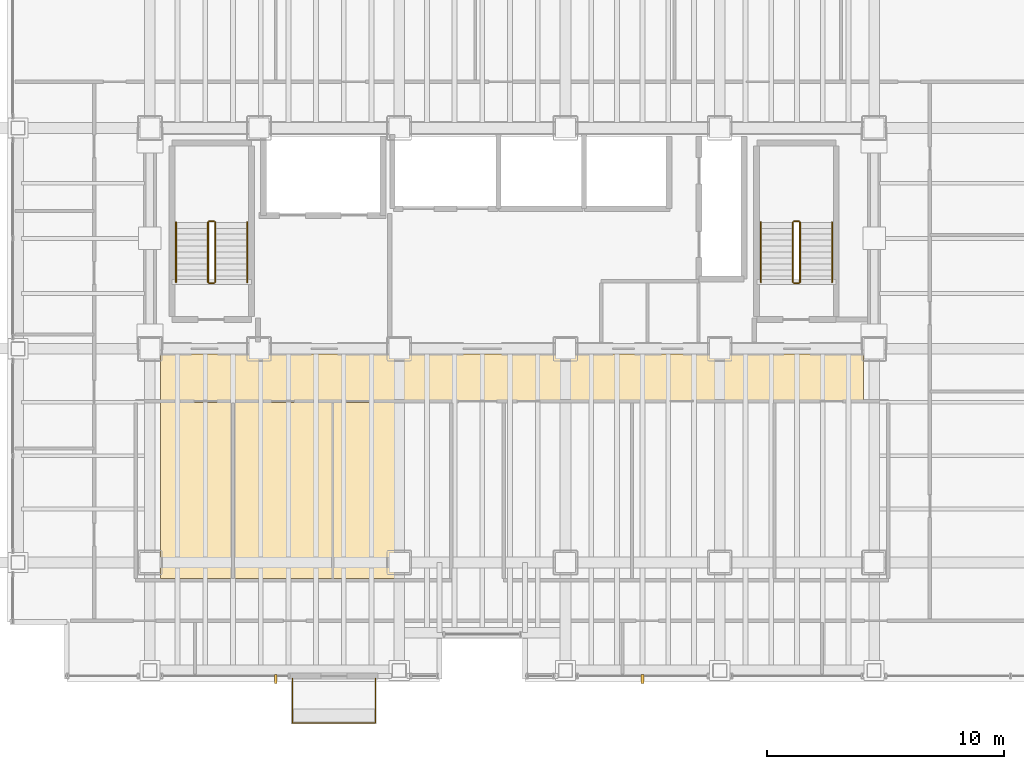
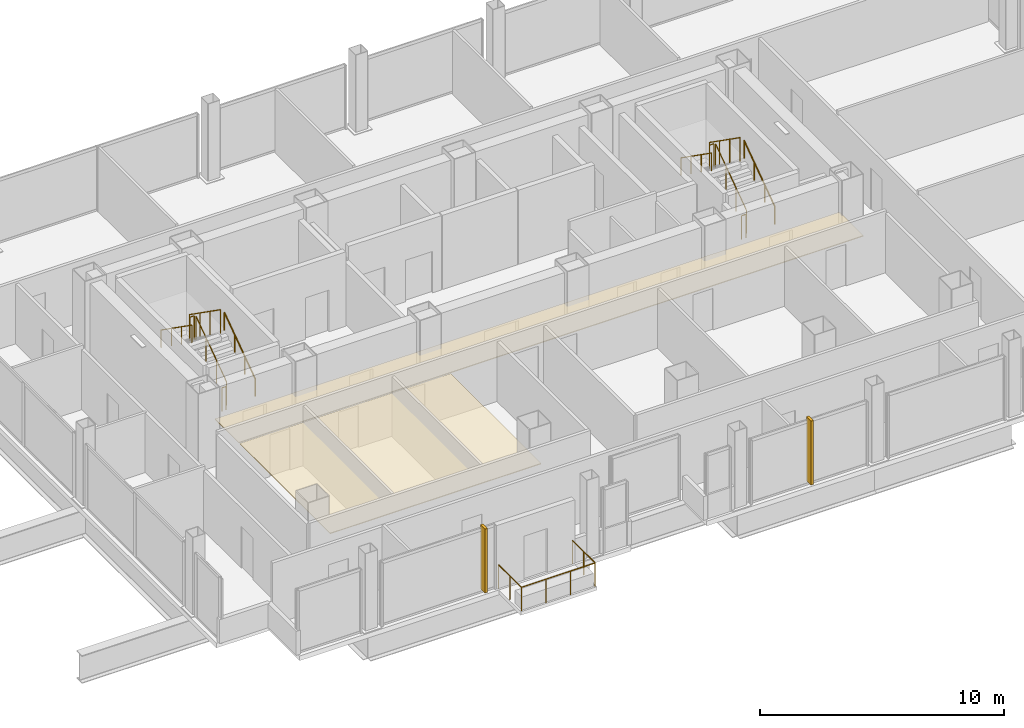
# One storey, part 23 of 23: 13 railings, 2 coverings, 2 shading devices.
"""IFC4 building model written with IfcOpenShell, lengths in metres."""

from ifc_helpers import new_model, si_unit, direction, frame, origin, origin_2d, place, context, subcontext, project, spatial, polyline, rectangle, circle, outline, extrude, material, layer, layer_set, type_object, element, save


model = new_model("IFC4")

# Units and contexts
model_context = context("Model", 3, precision=1e-05, world=origin(), true_north=direction((0.0, 1.0)))
body_context = subcontext(model_context, "Body", "Model", "MODEL_VIEW")
ifc_project = project(units=[si_unit("LENGTHUNIT", "METRE"), si_unit("AREAUNIT", "SQUARE_METRE"), si_unit("VOLUMEUNIT", "CUBIC_METRE"), si_unit("PLANEANGLEUNIT", "RADIAN"), si_unit("MASSUNIT", "GRAM", prefix="KILO")], contexts=[model_context])

# Site, building, storey
site_placement = place(None, origin())
site = spatial("IfcSite", under=ifc_project, at=site_placement, CompositionType="ELEMENT")
building_placement = place(site_placement, origin())
building = spatial("IfcBuilding", under=site, at=building_placement, Name="Noeulbin Bourse Tower", CompositionType="ELEMENT")
storey_placement = place(building_placement, frame((0.0, 0.0, 53.800048828125)))
storey = spatial("IfcBuildingStorey", under=building, at=storey_placement, Name="L13", CompositionType="ELEMENT", Elevation=53.800048828125)

# Coverings
ifc_material_1 = material(Name="Perforated Mineral-Fibre Acoustic Tile")
ifc_layer_1 = layer(ifc_material_1, 0.0400390625)
ifc_layer_set_1 = layer_set([ifc_layer_1], Name="Perforated Mineral-Fibre Acoustic Tile")
covering_type = type_object("IfcCoveringType", Name="COV-CEIL-ACT", PredefinedType="CEILING", material=ifc_layer_set_1)
covering_1_placement = place(storey_placement, frame((0.0, 0.0, 2.10986328125)))
element("IfcCovering", 1, at=covering_1_placement, inside=storey, type_object=covering_type, Name="Corridor Suspended Ceiling L13", PredefinedType="CEILING", context=body_context, shape_type="SweptSolid", body=[
    extrude(outline(polyline([(13.949951171875, 26.820068359375), (43.550048828125, 26.820068359375), (43.550048828125, 28.780029296875), (13.949951171875, 28.780029296875), (13.949951171875, 26.820068359375)])), origin(), (0.0, 0.0, 1.0), 0.0400390625),
])
covering_2_placement = place(storey_placement, frame((0.0, 0.0, 2.10986328125)))
element("IfcCovering", 2, at=covering_2_placement, inside=storey, type_object=covering_type, Name="Trading Suite Acoustic Ceiling L13", PredefinedType="CEILING", context=body_context, shape_type="SweptSolid", body=[
    extrude(outline(polyline([(13.949951171875, 19.320068359375), (23.949951171875, 19.320068359375), (23.949951171875, 26.75), (13.949951171875, 26.75), (13.949951171875, 19.320068359375)])), origin(), (0.0, 0.0, 1.0), 0.0400390625),
])

# Railings
ifc_material_2 = material(Name="Laminated SentryGlas and Stainless Steel 316", Category="steel")
ifc_layer_2 = layer(ifc_material_2, 0.06005859375)
ifc_layer_set_2 = layer_set([ifc_layer_2], Name="Laminated SentryGlas and Stainless Steel 316")
railing_type_1 = type_object("IfcRailingType", Name="RLG-BAL-1200", PredefinedType="BALUSTRADE", material=ifc_layer_set_2)
railing_1_placement = place(storey_placement, frame((19.5, 15.1201171875, 0.0)))
element("IfcRailing", 3, at=railing_1_placement, inside=storey, type_object=railing_type_1, Name="Tree-Balcony Glazed Balustrade L13", PredefinedType="BALUSTRADE", context=body_context, shape_type="SweptSolid", body=[
    extrude(circle(Radius=0.02392578125, at=origin_2d()), frame((0.0, 0.0, 1.17578125), z_axis=(0.0, -1.0, 0.0), x_axis=(1.0, 0.0, 0.0)), (0.0, 0.0, 1.0), 1.8701171875),
    extrude(circle(Radius=0.02392578125, at=origin_2d()), frame((0.0, -1.8701171875, 1.17578125), z_axis=(1.0, 0.0, 0.0), x_axis=(0.0, 1.0, 0.0)), (0.0, 0.0, 1.0), 3.5),
    extrude(circle(Radius=0.02392578125, at=origin_2d()), frame((3.5, -1.8701171875, 1.17578125), z_axis=(0.0, 1.0, 0.0), x_axis=(-1.0, 0.0, 0.0)), (0.0, 0.0, 1.0), 1.8701171875),
    extrude(circle(Radius=0.02099609375, at=origin_2d()), origin(), (0.0, 0.0, 1.0), 1.15185546875),
    extrude(circle(Radius=0.02099609375, at=origin_2d()), frame((0.0, -0.93505859375, 0.0)), (0.0, 0.0, 1.0), 1.15185546875),
    extrude(circle(Radius=0.02099609375, at=origin_2d()), frame((0.0, -1.8701171875, 0.0)), (0.0, 0.0, 1.0), 1.15185546875),
    extrude(circle(Radius=0.02099609375, at=origin_2d()), frame((1.166748046875, -1.8701171875, 0.0)), (0.0, 0.0, 1.0), 1.15185546875),
    extrude(circle(Radius=0.02099609375, at=origin_2d()), frame((2.333251953125, -1.8701171875, 0.0)), (0.0, 0.0, 1.0), 1.15185546875),
    extrude(circle(Radius=0.02099609375, at=origin_2d()), frame((3.5, -1.8701171875, 0.0)), (0.0, 0.0, 1.0), 1.15185546875),
    extrude(circle(Radius=0.02099609375, at=origin_2d()), frame((3.5, -0.93505859375, 0.0)), (0.0, 0.0, 1.0), 1.15185546875),
    extrude(circle(Radius=0.02099609375, at=origin_2d()), frame((3.5, 0.0, 0.0)), (0.0, 0.0, 1.0), 1.15185546875),
])
ifc_material_3 = material(Name="Painted Tubular Steel S355", Category="steel")
ifc_layer_3 = layer(ifc_material_3, 0.048095703125)
ifc_layer_set_3 = layer_set([ifc_layer_3], Name="Painted Tubular Steel S355")
railing_type_2 = type_object("IfcRailingType", Name="RLG-STR-GRD", PredefinedType="GUARDRAIL", material=ifc_layer_set_3)
railing_2_placement = place(storey_placement, frame((16.25, 31.81005859375, 0.17724609375)))
element("IfcRailing", 4, at=railing_2_placement, inside=storey, type_object=railing_type_2, Name="L13 ST-1 stair guard 1", PredefinedType="GUARDRAIL", context=body_context, shape_type="SweptSolid", body=[
    extrude(circle(Radius=0.02392578125, at=origin_2d()), frame((0.0, 0.0, 1.17578125), z_axis=(0.0, 0.817904474719, 0.575354039036), x_axis=(-1.0, 0.0, 0.0)), (0.0, 0.0, 1.0), 3.0810546875),
    extrude(circle(Radius=0.02099609375, at=origin_2d()), origin(), (0.0, 0.0, 1.0), 1.15185546875),
    extrude(circle(Radius=0.02099609375, at=origin_2d()), frame((0.0, 0.840087890625, 0.5908203125)), (0.0, 0.0, 1.0), 1.15185546875),
    extrude(circle(Radius=0.02099609375, at=origin_2d()), frame((0.0, 1.679931640625, 1.181884765625)), (0.0, 0.0, 1.0), 1.15185546875),
    extrude(circle(Radius=0.02099609375, at=origin_2d()), frame((0.0, 2.52001953125, 1.772705078125)), (0.0, 0.0, 1.0), 1.15185546875),
])
railing_3_placement = place(storey_placement, frame((16.199951171875, 34.3798828125, 1.949951171875)))
element("IfcRailing", 5, at=railing_3_placement, inside=storey, type_object=railing_type_2, Name="L13 ST-1 stair guard 2", PredefinedType="GUARDRAIL", context=body_context, shape_type="SweptSolid", body=[
    extrude(circle(Radius=0.02392578125, at=origin_2d()), frame((0.0, 0.0, 1.17578125), z_axis=(-1.0, 0.0, 0.0), x_axis=(0.0, -1.0, 0.0)), (0.0, 0.0, 1.0), 0.199951171875),
    extrude(circle(Radius=0.02099609375, at=origin_2d()), origin(), (0.0, 0.0, 1.0), 1.15185546875),
    extrude(circle(Radius=0.02099609375, at=origin_2d()), frame((-0.199951171875, 0.0, 0.0)), (0.0, 0.0, 1.0), 1.15185546875),
])
railing_4_placement = place(storey_placement, frame((15.949951171875, 34.330078125, 2.127197265625)))
element("IfcRailing", 6, at=railing_4_placement, inside=storey, type_object=railing_type_2, Name="L13 ST-1 stair guard 3", PredefinedType="GUARDRAIL", context=body_context, shape_type="SweptSolid", body=[
    extrude(circle(Radius=0.02392578125, at=origin_2d()), frame((0.0, 0.0, 1.17578125), z_axis=(0.0, -0.817904474719, 0.575354039036), x_axis=(1.0, 0.0, 0.0)), (0.0, 0.0, 1.0), 3.0810546875),
    extrude(circle(Radius=0.02099609375, at=origin_2d()), origin(), (0.0, 0.0, 1.0), 1.15185546875),
    extrude(circle(Radius=0.02099609375, at=origin_2d()), frame((0.0, -0.840087890625, 0.5908203125)), (0.0, 0.0, 1.0), 1.15185546875),
    extrude(circle(Radius=0.02099609375, at=origin_2d()), frame((0.0, -1.679931640625, 1.181884765625)), (0.0, 0.0, 1.0), 1.15185546875),
    extrude(circle(Radius=0.02099609375, at=origin_2d()), frame((0.0, -2.52001953125, 1.772705078125)), (0.0, 0.0, 1.0), 1.15185546875),
])
railing_5_placement = place(storey_placement, frame((16.199951171875, 31.760009765625, 0.0)))
element("IfcRailing", 7, at=railing_5_placement, inside=storey, type_object=railing_type_2, Name="L13 ST-1 stair guard 4", PredefinedType="GUARDRAIL", context=body_context, shape_type="SweptSolid", body=[
    extrude(circle(Radius=0.02392578125, at=origin_2d()), frame((0.0, 0.0, 1.17578125), z_axis=(-1.0, 0.0, 0.0), x_axis=(0.0, -1.0, 0.0)), (0.0, 0.0, 1.0), 0.199951171875),
    extrude(circle(Radius=0.02099609375, at=origin_2d()), origin(), (0.0, 0.0, 1.0), 1.15185546875),
    extrude(circle(Radius=0.02099609375, at=origin_2d()), frame((-0.199951171875, 0.0, 0.0)), (0.0, 0.0, 1.0), 1.15185546875),
])
railing_6_placement = place(storey_placement, frame((40.8798828125, 31.81005859375, 0.17724609375)))
element("IfcRailing", 8, at=railing_6_placement, inside=storey, type_object=railing_type_2, Name="L13 ST-2 stair guard 1", PredefinedType="GUARDRAIL", context=body_context, shape_type="SweptSolid", body=[
    extrude(circle(Radius=0.02392578125, at=origin_2d()), frame((0.0, 0.0, 1.17578125), z_axis=(0.0, 0.817904474719, 0.575354039036), x_axis=(-1.0, 0.0, 0.0)), (0.0, 0.0, 1.0), 3.0810546875),
    extrude(circle(Radius=0.02099609375, at=origin_2d()), origin(), (0.0, 0.0, 1.0), 1.15185546875),
    extrude(circle(Radius=0.02099609375, at=origin_2d()), frame((0.0, 0.840087890625, 0.5908203125)), (0.0, 0.0, 1.0), 1.15185546875),
    extrude(circle(Radius=0.02099609375, at=origin_2d()), frame((0.0, 1.679931640625, 1.181884765625)), (0.0, 0.0, 1.0), 1.15185546875),
    extrude(circle(Radius=0.02099609375, at=origin_2d()), frame((0.0, 2.52001953125, 1.772705078125)), (0.0, 0.0, 1.0), 1.15185546875),
])
railing_7_placement = place(storey_placement, frame((40.830078125, 34.3798828125, 1.949951171875)))
element("IfcRailing", 9, at=railing_7_placement, inside=storey, type_object=railing_type_2, Name="L13 ST-2 stair guard 2", PredefinedType="GUARDRAIL", context=body_context, shape_type="SweptSolid", body=[
    extrude(circle(Radius=0.02392578125, at=origin_2d()), frame((0.0, 0.0, 1.17578125), z_axis=(-1.0, 0.0, 0.0), x_axis=(0.0, -1.0, 0.0)), (0.0, 0.0, 1.0), 0.2001953125),
    extrude(circle(Radius=0.02099609375, at=origin_2d()), origin(), (0.0, 0.0, 1.0), 1.15185546875),
    extrude(circle(Radius=0.02099609375, at=origin_2d()), frame((-0.2001953125, 0.0, 0.0)), (0.0, 0.0, 1.0), 1.15185546875),
])
railing_8_placement = place(storey_placement, frame((40.580078125, 34.330078125, 2.127197265625)))
element("IfcRailing", 10, at=railing_8_placement, inside=storey, type_object=railing_type_2, Name="L13 ST-2 stair guard 3", PredefinedType="GUARDRAIL", context=body_context, shape_type="SweptSolid", body=[
    extrude(circle(Radius=0.02392578125, at=origin_2d()), frame((0.0, 0.0, 1.17578125), z_axis=(0.0, -0.817904474719, 0.575354039036), x_axis=(1.0, 0.0, 0.0)), (0.0, 0.0, 1.0), 3.0810546875),
    extrude(circle(Radius=0.02099609375, at=origin_2d()), origin(), (0.0, 0.0, 1.0), 1.15185546875),
    extrude(circle(Radius=0.02099609375, at=origin_2d()), frame((0.0, -0.840087890625, 0.5908203125)), (0.0, 0.0, 1.0), 1.15185546875),
    extrude(circle(Radius=0.02099609375, at=origin_2d()), frame((0.0, -1.679931640625, 1.181884765625)), (0.0, 0.0, 1.0), 1.15185546875),
    extrude(circle(Radius=0.02099609375, at=origin_2d()), frame((0.0, -2.52001953125, 1.772705078125)), (0.0, 0.0, 1.0), 1.15185546875),
])
railing_9_placement = place(storey_placement, frame((40.830078125, 31.760009765625, 0.0)))
element("IfcRailing", 11, at=railing_9_placement, inside=storey, type_object=railing_type_2, Name="L13 ST-2 stair guard 4", PredefinedType="GUARDRAIL", context=body_context, shape_type="SweptSolid", body=[
    extrude(circle(Radius=0.02392578125, at=origin_2d()), frame((0.0, 0.0, 1.17578125), z_axis=(-1.0, 0.0, 0.0), x_axis=(0.0, -1.0, 0.0)), (0.0, 0.0, 1.0), 0.2001953125),
    extrude(circle(Radius=0.02099609375, at=origin_2d()), origin(), (0.0, 0.0, 1.0), 1.15185546875),
    extrude(circle(Radius=0.02099609375, at=origin_2d()), frame((-0.2001953125, 0.0, 0.0)), (0.0, 0.0, 1.0), 1.15185546875),
])
ifc_material_4 = material(Name="Brushed Stainless Steel 316", Category="steel")
ifc_layer_4 = layer(ifc_material_4, 0.048095703125)
ifc_layer_set_4 = layer_set([ifc_layer_4], Name="Brushed Stainless Steel 316")
railing_type_3 = type_object("IfcRailingType", Name="RLG-STR-HND", PredefinedType="HANDRAIL", material=ifc_layer_set_4)
railing_10_placement = place(storey_placement, frame((17.60009765625, 31.81005859375, 0.17724609375)))
element("IfcRailing", 12, at=railing_10_placement, inside=storey, type_object=railing_type_3, Name="L13 ST-1 stair handrail 1", PredefinedType="HANDRAIL", context=body_context, shape_type="SweptSolid", body=[
    extrude(circle(Radius=0.02392578125, at=origin_2d()), frame((0.0, 0.0, 0.8759765625), z_axis=(0.0, 0.817904474719, 0.575354039036), x_axis=(-1.0, 0.0, 0.0)), (0.0, 0.0, 1.0), 3.0810546875),
    extrude(circle(Radius=0.02099609375, at=origin_2d()), origin(), (0.0, 0.0, 1.0), 0.851806640625),
    extrude(circle(Radius=0.02099609375, at=origin_2d()), frame((0.0, 0.840087890625, 0.5908203125)), (0.0, 0.0, 1.0), 0.851806640625),
    extrude(circle(Radius=0.02099609375, at=origin_2d()), frame((0.0, 1.679931640625, 1.181884765625)), (0.0, 0.0, 1.0), 0.851806640625),
    extrude(circle(Radius=0.02099609375, at=origin_2d()), frame((0.0, 2.52001953125, 1.772705078125)), (0.0, 0.0, 1.0), 0.851806640625),
])
railing_11_placement = place(storey_placement, frame((14.60009765625, 34.330078125, 2.127197265625)))
element("IfcRailing", 13, at=railing_11_placement, inside=storey, type_object=railing_type_3, Name="L13 ST-1 stair handrail 2", PredefinedType="HANDRAIL", context=body_context, shape_type="SweptSolid", body=[
    extrude(circle(Radius=0.02392578125, at=origin_2d()), frame((0.0, 0.0, 0.8759765625), z_axis=(0.0, -0.817904474719, 0.575354039036), x_axis=(1.0, 0.0, 0.0)), (0.0, 0.0, 1.0), 3.0810546875),
    extrude(circle(Radius=0.02099609375, at=origin_2d()), origin(), (0.0, 0.0, 1.0), 0.851806640625),
    extrude(circle(Radius=0.02099609375, at=origin_2d()), frame((0.0, -0.840087890625, 0.5908203125)), (0.0, 0.0, 1.0), 0.851806640625),
    extrude(circle(Radius=0.02099609375, at=origin_2d()), frame((0.0, -1.679931640625, 1.181884765625)), (0.0, 0.0, 1.0), 0.851806640625),
    extrude(circle(Radius=0.02099609375, at=origin_2d()), frame((0.0, -2.52001953125, 1.772705078125)), (0.0, 0.0, 1.0), 0.851806640625),
])
railing_12_placement = place(storey_placement, frame((42.22998046875, 31.81005859375, 0.17724609375)))
element("IfcRailing", 14, at=railing_12_placement, inside=storey, type_object=railing_type_3, Name="L13 ST-2 stair handrail 1", PredefinedType="HANDRAIL", context=body_context, shape_type="SweptSolid", body=[
    extrude(circle(Radius=0.02392578125, at=origin_2d()), frame((0.0, 0.0, 0.8759765625), z_axis=(0.0, 0.817904474719, 0.575354039036), x_axis=(-1.0, 0.0, 0.0)), (0.0, 0.0, 1.0), 3.0810546875),
    extrude(circle(Radius=0.02099609375, at=origin_2d()), origin(), (0.0, 0.0, 1.0), 0.851806640625),
    extrude(circle(Radius=0.02099609375, at=origin_2d()), frame((0.0, 0.840087890625, 0.5908203125)), (0.0, 0.0, 1.0), 0.851806640625),
    extrude(circle(Radius=0.02099609375, at=origin_2d()), frame((0.0, 1.679931640625, 1.181884765625)), (0.0, 0.0, 1.0), 0.851806640625),
    extrude(circle(Radius=0.02099609375, at=origin_2d()), frame((0.0, 2.52001953125, 1.772705078125)), (0.0, 0.0, 1.0), 0.851806640625),
])
railing_13_placement = place(storey_placement, frame((39.22998046875, 34.330078125, 2.127197265625)))
element("IfcRailing", 15, at=railing_13_placement, inside=storey, type_object=railing_type_3, Name="L13 ST-2 stair handrail 2", PredefinedType="HANDRAIL", context=body_context, shape_type="SweptSolid", body=[
    extrude(circle(Radius=0.02392578125, at=origin_2d()), frame((0.0, 0.0, 0.8759765625), z_axis=(0.0, -0.817904474719, 0.575354039036), x_axis=(1.0, 0.0, 0.0)), (0.0, 0.0, 1.0), 3.0810546875),
    extrude(circle(Radius=0.02099609375, at=origin_2d()), origin(), (0.0, 0.0, 1.0), 0.851806640625),
    extrude(circle(Radius=0.02099609375, at=origin_2d()), frame((0.0, -0.840087890625, 0.5908203125)), (0.0, 0.0, 1.0), 0.851806640625),
    extrude(circle(Radius=0.02099609375, at=origin_2d()), frame((0.0, -1.679931640625, 1.181884765625)), (0.0, 0.0, 1.0), 0.851806640625),
    extrude(circle(Radius=0.02099609375, at=origin_2d()), frame((0.0, -2.52001953125, 1.772705078125)), (0.0, 0.0, 1.0), 0.851806640625),
])

# Shading devices
ifc_material_5 = material(Name="Anodised Aluminium 6063-T6", Category="aluminium")
ifc_layer_5 = layer(ifc_material_5, 3.199951171875)
ifc_layer_set_5 = layer_set([ifc_layer_5], Name="Anodised Aluminium 6063-T6")
shading_device_type = type_object("IfcShadingDeviceType", Name="SHD-FIN-400", PredefinedType="USERDEFINED", material=ifc_layer_set_5)
for number, where, z_axis, x_axis, name in (
    (16, (18.800048828125, 15.10009765625, 0.14990234375), (0.0, 0.0, 1.0), (1.0, 0.0, 0.0), "Vertical Solar Fin SN-L13-1"),
    (17, (34.25, 15.10009765625, 0.14990234375), (0.0, 0.0, 1.0), (1.0, 0.0, 0.0), "Vertical Solar Fin SN-L13-2"),
):
    element("IfcShadingDevice", number, at=place(storey_placement, frame(where, z_axis=z_axis, x_axis=x_axis)), inside=storey, type_object=shading_device_type, Name=name, ObjectType="SUNSHADE", PredefinedType="USERDEFINED", context=body_context, shape_type="SweptSolid", body=[
        extrude(rectangle(XDim=0.1201171875, YDim=0.3798828125, at=origin_2d()), origin(), (0.0, 0.0, 1.0), 3.199951171875),
    ])

save(model, "model.ifc")
